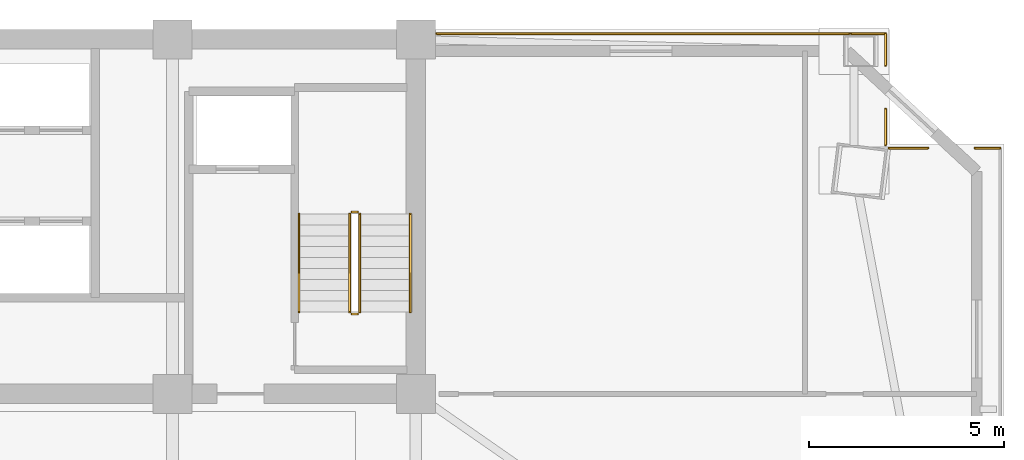
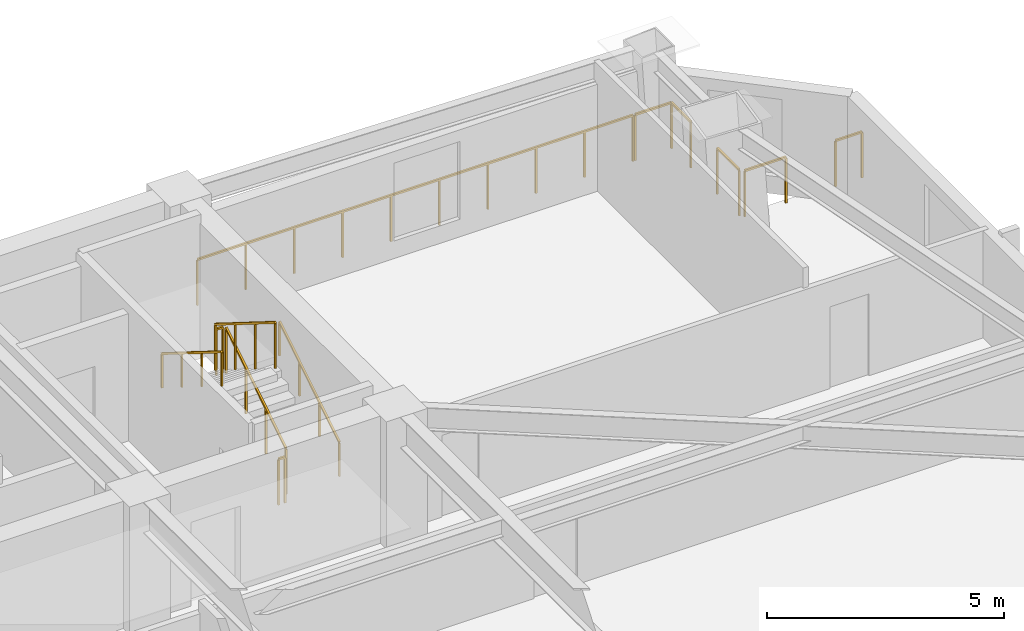
# One storey, part 15 of 15: 12 railings.
"""IFC4 building model written with IfcOpenShell, lengths in metres."""

import ifcopenshell
import ifcopenshell.guid

model = None  # the IFC model being written
_history = None  # IfcOwnerHistory: only IFC2X3 demands one
_inside = {}  # id of a spatial element -> (the spatial element, [elements in it])
_under = {}  # id of a project, library or spatial element -> (it, [spatial elements below it])
_declared = {}  # id of a project -> (the project, [libraries it declares])
_typed = {}  # id of a type object -> (the type object, [elements of that type])
_made_of = {}  # id of a material, layer set ... -> (it, [elements and type objects made of it])


def new_model(schema):
    """Start an empty IFC model of exactly this schema.

    Asked for "IFC4X3", IfcOpenShell would pick the latest addendum, in which some entities
    have other attributes; the version numbers below select the first issue.
    IFC2X3 requires an IfcOwnerHistory on every rooted entity: one is made here for all.
    """
    global model, _history
    if schema == "IFC4X3":
        model = ifcopenshell.file(schema_version=(4, 3, 0, 0))
    else:
        model = ifcopenshell.file(schema=schema)
    _inside.clear()
    _under.clear()
    _declared.clear()
    _typed.clear()
    _made_of.clear()
    _history = None
    if model.schema == "IFC2X3":
        org = make("IfcOrganization", Name="unknown")
        user = make(
            "IfcPersonAndOrganization",
            ThePerson=make("IfcPerson", FamilyName="unknown"),
            TheOrganization=org,
        )
        app = make(
            "IfcApplication",
            ApplicationDeveloper=org,
            Version="unknown",
            ApplicationFullName="unknown",
            ApplicationIdentifier="unknown",
        )
        _history = make(
            "IfcOwnerHistory",
            OwningUser=user,
            OwningApplication=app,
            ChangeAction="ADDED",
            CreationDate=0,
        )
    return model


def make(cls, **values):
    """One entity of the class cls with the attributes given. An attribute that is None is left unset."""
    return model.create_entity(
        cls, **{name: value for name, value in values.items() if value is not None}
    )


def rooted(cls, **values):
    """An entity with a GlobalId (a new one), such as an element, a storey or a relation."""
    return make(cls, GlobalId=ifcopenshell.guid.new(), OwnerHistory=_history, **values)


def si_unit(unit_type, name, prefix=None):
    """IfcSIUnit, for example si_unit("LENGTHUNIT", "METRE", prefix="MILLI")."""
    return make("IfcSIUnit", UnitType=unit_type, Prefix=prefix, Name=name)


def assignment(units):
    """IfcUnitAssignment: the units of a project."""
    return None if units is None else make("IfcUnitAssignment", Units=units)


def point(xyz):
    """IfcCartesianPoint."""
    return None if xyz is None else make("IfcCartesianPoint", Coordinates=xyz)


def direction(xyz):
    """IfcDirection."""
    return None if xyz is None else make("IfcDirection", DirectionRatios=xyz)


def frame(location, z_axis=None, x_axis=None):
    """IfcAxis2Placement3D, a coordinate frame: its origin and axes. An axis left out is left unset."""
    return make(
        "IfcAxis2Placement3D",
        Location=point(location),
        Axis=direction(z_axis),
        RefDirection=direction(x_axis),
    )


def frame_2d(location, x_axis=None):
    """IfcAxis2Placement2D, a coordinate frame in the plane: its origin and x axis."""
    return make(
        "IfcAxis2Placement2D", Location=point(location), RefDirection=direction(x_axis)
    )


def origin():
    """The frame at (0, 0, 0) with its axes left unset."""
    return frame((0.0, 0.0, 0.0))


def origin_2d():
    """The frame at (0, 0) in the plane with its x axis left unset."""
    return frame_2d((0.0, 0.0))


def place(relative_to, where):
    """IfcLocalPlacement: puts the frame where relative to a parent placement (None: the world)."""
    return make(
        "IfcLocalPlacement", PlacementRelTo=relative_to, RelativePlacement=where
    )


def context(
    kind, dimensions, precision=None, world=None, true_north=None, identifier=None
):
    """IfcGeometricRepresentationContext, for example the 3D "Model" context."""
    return make(
        "IfcGeometricRepresentationContext",
        ContextIdentifier=identifier,
        ContextType=kind,
        CoordinateSpaceDimension=dimensions,
        Precision=precision,
        WorldCoordinateSystem=world,
        TrueNorth=true_north,
    )


def subcontext(parent, identifier, kind, view, scale=None):
    """IfcGeometricRepresentationSubContext, for example "Body" below "Model"."""
    return make(
        "IfcGeometricRepresentationSubContext",
        ContextIdentifier=identifier,
        ContextType=kind,
        ParentContext=parent,
        TargetScale=scale,
        TargetView=view,
    )


def project(units=None, contexts=None):
    """IfcProject with its units and contexts."""
    return rooted(
        "IfcProject",
        Name="project",
        RepresentationContexts=contexts,
        UnitsInContext=assignment(units),
    )


def spatial(cls, under=None, at=None, **own):
    """A site, building, storey or space (cls), placed at a placement, below another one or the project."""
    s = rooted(cls, ObjectPlacement=at, **own)
    if under is not None:
        _under.setdefault(under.id(), (under, []))[1].append(s)
    return s


def profile(cls, at=None, kind="AREA", **sizes):
    """A parametric profile (cls). Its sizes go by their IFC names, for example OverallWidth=200.0."""
    return make(cls, ProfileType=kind, Position=at, **sizes)


def rectangle(**sizes):
    """IfcRectangleProfileDef."""
    return profile("IfcRectangleProfileDef", **sizes)


def extrude(swept, where, along, depth):
    """IfcExtrudedAreaSolid: the profile swept, set in the frame where, extruded along a direction by depth."""
    return make(
        "IfcExtrudedAreaSolid",
        SweptArea=swept,
        Position=where,
        ExtrudedDirection=direction(along),
        Depth=depth,
    )


def shape(context_of_items, identifier, shape_type, items):
    """IfcShapeRepresentation: the items that make up one representation, for example the "Body"."""
    return make(
        "IfcShapeRepresentation",
        ContextOfItems=context_of_items,
        RepresentationIdentifier=identifier,
        RepresentationType=shape_type,
        Items=items,
    )


def material(Name=None, Category=None):
    """IfcMaterial."""
    return make("IfcMaterial", Name=Name, Category=Category)


def made_of(thing, what):
    """Note that an element or type object is made of a material, layer set ...; save() writes the relation."""
    if what is not None:
        _made_of.setdefault(what.id(), (what, []))[1].append(thing)
    return thing


def type_object(cls, material=None, **own):
    """A type object (cls), such as IfcWallType, which elements share."""
    return made_of(rooted(cls, **own), material)


def element(
    cls,
    number,
    at=None,
    inside=None,
    cuts=None,
    type_object=None,
    material=None,
    context=None,
    identifier="Body",
    shape_type=None,
    held_by="IfcProductDefinitionShape",
    body=None,
    shapes=None,
    **own,
):
    """One element of the class cls, such as IfcWall. Its Tag is "e" and its number.

    at: its placement. inside: the storey or other place that contains it. cuts: it is an
    opening in that element (IfcRelVoidsElement). A single representation is given by context,
    identifier, shape_type and body (its items); several are given by shapes. held_by: the class
    of the entity that holds the representations. save() writes the other relations.
    """
    e = rooted(cls, Tag="e%d" % number, ObjectPlacement=at, **own)
    if body is not None:
        shapes = [shape(context, identifier, shape_type, body)]
    if shapes is not None:
        e.Representation = make(held_by, Representations=shapes)
    if inside is not None:
        _inside.setdefault(inside.id(), (inside, []))[1].append(e)
    if cuts is not None:
        rooted(
            "IfcRelVoidsElement", RelatingBuildingElement=cuts, RelatedOpeningElement=e
        )
    if type_object is not None:
        _typed.setdefault(type_object.id(), (type_object, []))[1].append(e)
    return made_of(e, material)


def aggregate(whole, parts):
    """IfcRelAggregates: a whole, such as a stair, and the parts it consists of."""
    return rooted("IfcRelAggregates", RelatingObject=whole, RelatedObjects=parts)


def save(model, path):
    """Write the relations noted so far, then the file.

    IfcRelAggregates (storeys below a building ...), IfcRelContainedInSpatialStructure (elements
    in a storey), IfcRelDefinesByType, IfcRelAssociatesMaterial and IfcRelDeclares: one each for
    every whole, place, type object, material and project.
    """
    for whole, parts in _under.values():
        aggregate(whole, parts)
    for where, things in _inside.values():
        rooted(
            "IfcRelContainedInSpatialStructure",
            RelatedElements=things,
            RelatingStructure=where,
        )
    for kind, things in _typed.values():
        rooted("IfcRelDefinesByType", RelatedObjects=things, RelatingType=kind)
    for what, things in _made_of.values():
        rooted("IfcRelAssociatesMaterial", RelatedObjects=things, RelatingMaterial=what)
    for by, libraries in _declared.values():
        rooted("IfcRelDeclares", RelatingContext=by, RelatedDefinitions=libraries)
    model.write(path)


model = new_model("IFC4")

# Units and contexts
model_context = context("Model", 3, precision=1e-05, world=origin(), true_north=direction((0.0, 1.0)))
body_context = subcontext(model_context, "Body", "Model", "MODEL_VIEW")
ifc_project = project(units=[si_unit("LENGTHUNIT", "METRE"), si_unit("AREAUNIT", "SQUARE_METRE"), si_unit("VOLUMEUNIT", "CUBIC_METRE"), si_unit("PLANEANGLEUNIT", "RADIAN"), si_unit("MASSUNIT", "GRAM", prefix="KILO")], contexts=[model_context])

# Site, building, storey
site_placement = place(None, origin())
site = spatial("IfcSite", under=ifc_project, at=site_placement, CompositionType="ELEMENT")
building_placement = place(site_placement, origin())
building = spatial("IfcBuilding", under=site, at=building_placement, Name="Giltprow Tower", CompositionType="ELEMENT")
storey_placement = place(building_placement, frame((0.0, 0.0, 156.199951171875)))
storey = spatial("IfcBuildingStorey", under=building, at=storey_placement, Name="L38", CompositionType="ELEMENT", Elevation=156.199951171875)

# Railings
ifc_material = material(Name="Anodized bronze", Category="metal")
railing_type_1 = type_object("IfcRailingType", Name="RAIL-BALC-GUARD-1200", PredefinedType="BALUSTRADE", material=ifc_material)
railing_1_placement = place(storey_placement, frame((51.0849609375, 46.699951171875, 0.0)))
element("IfcRailing", 1, at=railing_1_placement, inside=storey, type_object=railing_type_1, Name="L38 Corner Apron Edge Balustrade 12", PredefinedType="BALUSTRADE", context=body_context, shape_type="SweptSolid", body=[
    extrude(rectangle(XDim=0.048095703125, YDim=0.048095703125, at=origin_2d()), frame((0.0, 0.0, 1.17578125), z_axis=(1.0, 0.0, 0.0), x_axis=(0.0, 1.0, 0.0)), (0.0, 0.0, 1.0), 10.589111328125),
    extrude(rectangle(XDim=0.0419921875, YDim=0.0419921875, at=origin_2d()), origin(), (0.0, 0.0, 1.0), 1.15185546875),
    extrude(rectangle(XDim=0.0419921875, YDim=0.0419921875, at=origin_2d()), frame((1.176513671875, 0.0, 0.0)), (0.0, 0.0, 1.0), 1.15185546875),
    extrude(rectangle(XDim=0.0419921875, YDim=0.0419921875, at=origin_2d()), frame((2.35302734375, 0.0, 0.0)), (0.0, 0.0, 1.0), 1.15185546875),
    extrude(rectangle(XDim=0.0419921875, YDim=0.0419921875, at=origin_2d()), frame((3.52978515625, 0.0, 0.0)), (0.0, 0.0, 1.0), 1.15185546875),
    extrude(rectangle(XDim=0.0419921875, YDim=0.0419921875, at=origin_2d()), frame((4.706298828125, 0.0, 0.0)), (0.0, 0.0, 1.0), 1.15185546875),
    extrude(rectangle(XDim=0.0419921875, YDim=0.0419921875, at=origin_2d()), frame((5.8828125, 0.0, 0.0)), (0.0, 0.0, 1.0), 1.15185546875),
    extrude(rectangle(XDim=0.0419921875, YDim=0.0419921875, at=origin_2d()), frame((7.059326171875, 0.0, 0.0)), (0.0, 0.0, 1.0), 1.15185546875),
    extrude(rectangle(XDim=0.0419921875, YDim=0.0419921875, at=origin_2d()), frame((8.236083984375, 0.0, 0.0)), (0.0, 0.0, 1.0), 1.15185546875),
    extrude(rectangle(XDim=0.0419921875, YDim=0.0419921875, at=origin_2d()), frame((9.41259765625, 0.0, 0.0)), (0.0, 0.0, 1.0), 1.15185546875),
    extrude(rectangle(XDim=0.0419921875, YDim=0.0419921875, at=origin_2d()), frame((10.589111328125, 0.0, 0.0)), (0.0, 0.0, 1.0), 1.15185546875),
])
railing_2_placement = place(storey_placement, frame((61.72900390625, 46.699951171875, 0.0)))
element("IfcRailing", 2, at=railing_2_placement, inside=storey, type_object=railing_type_1, Name="L38 Corner Apron Edge Balustrade 13", PredefinedType="BALUSTRADE", context=body_context, shape_type="SweptSolid", body=[
    extrude(rectangle(XDim=0.048095703125, YDim=0.048095703125, at=origin_2d()), frame((0.0, 0.0, 1.17578125), z_axis=(1.0, 0.0, 0.0), x_axis=(0.0, 1.0, 0.0)), (0.0, 0.0, 1.0), 0.883056640625),
    extrude(rectangle(XDim=0.0419921875, YDim=0.0419921875, at=origin_2d()), origin(), (0.0, 0.0, 1.0), 1.15185546875),
    extrude(rectangle(XDim=0.0419921875, YDim=0.0419921875, at=origin_2d()), frame((0.883056640625, 0.0, 0.0)), (0.0, 0.0, 1.0), 1.15185546875),
])
railing_3_placement = place(storey_placement, frame((62.612060546875, 46.699951171875, 0.0)))
element("IfcRailing", 3, at=railing_3_placement, inside=storey, type_object=railing_type_1, Name="L38 Corner Apron Edge Balustrade 14", PredefinedType="BALUSTRADE", context=body_context, shape_type="SweptSolid", body=[
    extrude(rectangle(XDim=0.048095703125, YDim=0.048095703125, at=origin_2d()), frame((0.0, 0.0, 1.17578125), z_axis=(0.0, -1.0, 0.0), x_axis=(1.0, 0.0, 0.0)), (0.0, 0.0, 1.0), 0.81689453125),
    extrude(rectangle(XDim=0.0419921875, YDim=0.0419921875, at=origin_2d()), origin(), (0.0, 0.0, 1.0), 1.15185546875),
    extrude(rectangle(XDim=0.0419921875, YDim=0.0419921875, at=origin_2d()), frame((0.0, -0.81689453125, 0.0)), (0.0, 0.0, 1.0), 1.15185546875),
])
railing_4_placement = place(storey_placement, frame((62.612060546875, 44.76611328125, 0.0)))
element("IfcRailing", 4, at=railing_4_placement, inside=storey, type_object=railing_type_1, Name="L38 Corner Apron Edge Balustrade 15", PredefinedType="BALUSTRADE", context=body_context, shape_type="SweptSolid", body=[
    extrude(rectangle(XDim=0.048095703125, YDim=0.048095703125, at=origin_2d()), frame((0.0, 0.0, 1.17578125), z_axis=(0.0, -1.0, 0.0), x_axis=(1.0, 0.0, 0.0)), (0.0, 0.0, 1.0), 0.920166015625),
    extrude(rectangle(XDim=0.0419921875, YDim=0.0419921875, at=origin_2d()), origin(), (0.0, 0.0, 1.0), 1.15185546875),
    extrude(rectangle(XDim=0.0419921875, YDim=0.0419921875, at=origin_2d()), frame((0.0, -0.920166015625, 0.0)), (0.0, 0.0, 1.0), 1.15185546875),
])
railing_5_placement = place(storey_placement, frame((62.697021484375, 43.760986328125, 0.0)))
element("IfcRailing", 5, at=railing_5_placement, inside=storey, type_object=railing_type_1, Name="L38 Corner Apron Edge Balustrade 16", PredefinedType="BALUSTRADE", context=body_context, shape_type="SweptSolid", body=[
    extrude(rectangle(XDim=0.048095703125, YDim=0.048095703125, at=origin_2d()), frame((0.0, 0.0, 1.17578125), z_axis=(1.0, 0.0, 0.0), x_axis=(0.0, 1.0, 0.0)), (0.0, 0.0, 1.0), 1.001953125),
    extrude(rectangle(XDim=0.0419921875, YDim=0.0419921875, at=origin_2d()), origin(), (0.0, 0.0, 1.0), 1.15185546875),
    extrude(rectangle(XDim=0.0419921875, YDim=0.0419921875, at=origin_2d()), frame((1.001953125, 0.0, 0.0)), (0.0, 0.0, 1.0), 1.15185546875),
])
railing_6_placement = place(storey_placement, frame((64.906005859375, 43.760986328125, 0.0)))
element("IfcRailing", 6, at=railing_6_placement, inside=storey, type_object=railing_type_1, Name="L38 Corner Apron Edge Balustrade 17", PredefinedType="BALUSTRADE", context=body_context, shape_type="SweptSolid", body=[
    extrude(rectangle(XDim=0.048095703125, YDim=0.048095703125, at=origin_2d()), frame((0.0, 0.0, 1.17578125), z_axis=(1.0, 0.0, 0.0), x_axis=(0.0, 1.0, 0.0)), (0.0, 0.0, 1.0), 0.64501953125),
    extrude(rectangle(XDim=0.0419921875, YDim=0.0419921875, at=origin_2d()), origin(), (0.0, 0.0, 1.0), 1.15185546875),
    extrude(rectangle(XDim=0.0419921875, YDim=0.0419921875, at=origin_2d()), frame((0.64501953125, 0.0, 0.0)), (0.0, 0.0, 1.0), 1.15185546875),
])
railing_type_2 = type_object("IfcRailingType", Name="RAIL-STAIR-GUARD-1200", PredefinedType="GUARDRAIL", material=ifc_material)
railing_7_placement = place(storey_placement, frame((49.110107421875, 39.550048828125, 0.175048828125)))
element("IfcRailing", 7, at=railing_7_placement, inside=storey, type_object=railing_type_2, Name="L38 ST-3 stair guard 1", PredefinedType="GUARDRAIL", context=body_context, shape_type="SweptSolid", body=[
    extrude(rectangle(XDim=0.048095703125, YDim=0.048095703125, at=origin_2d()), frame((0.0, 0.0, 1.17578125), z_axis=(0.0, 0.848007534815, 0.529984170421), x_axis=(-1.0, 0.0, 0.0)), (0.0, 0.0, 1.0), 2.9716796875),
    extrude(rectangle(XDim=0.0419921875, YDim=0.0419921875, at=origin_2d()), origin(), (0.0, 0.0, 1.0), 1.15185546875),
    extrude(rectangle(XDim=0.0419921875, YDim=0.0419921875, at=origin_2d()), frame((0.0, 0.840087890625, 0.52490234375)), (0.0, 0.0, 1.0), 1.15185546875),
    extrude(rectangle(XDim=0.0419921875, YDim=0.0419921875, at=origin_2d()), frame((0.0, 1.679931640625, 1.050048828125)), (0.0, 0.0, 1.0), 1.15185546875),
    extrude(rectangle(XDim=0.0419921875, YDim=0.0419921875, at=origin_2d()), frame((0.0, 2.52001953125, 1.574951171875)), (0.0, 0.0, 1.0), 1.15185546875),
])
railing_8_placement = place(storey_placement, frame((49.06005859375, 42.1201171875, 1.75)))
element("IfcRailing", 8, at=railing_8_placement, inside=storey, type_object=railing_type_2, Name="L38 ST-3 stair guard 2", PredefinedType="GUARDRAIL", context=body_context, shape_type="SweptSolid", body=[
    extrude(rectangle(XDim=0.048095703125, YDim=0.048095703125, at=origin_2d()), frame((0.0, 0.0, 1.17578125), z_axis=(-1.0, 0.0, 0.0), x_axis=(0.0, -1.0, 0.0)), (0.0, 0.0, 1.0), 0.16015625),
    extrude(rectangle(XDim=0.0419921875, YDim=0.0419921875, at=origin_2d()), origin(), (0.0, 0.0, 1.0), 1.15185546875),
    extrude(rectangle(XDim=0.0419921875, YDim=0.0419921875, at=origin_2d()), frame((-0.16015625, 0.0, 0.0)), (0.0, 0.0, 1.0), 1.15185546875),
])
railing_9_placement = place(storey_placement, frame((48.85009765625, 42.070068359375, 1.925048828125)))
element("IfcRailing", 9, at=railing_9_placement, inside=storey, type_object=railing_type_2, Name="L38 ST-3 stair guard 3", PredefinedType="GUARDRAIL", context=body_context, shape_type="SweptSolid", body=[
    extrude(rectangle(XDim=0.048095703125, YDim=0.048095703125, at=origin_2d()), frame((0.0, 0.0, 1.17578125), z_axis=(0.0, -0.848007534815, 0.529984170421), x_axis=(1.0, 0.0, 0.0)), (0.0, 0.0, 1.0), 2.9716796875),
    extrude(rectangle(XDim=0.0419921875, YDim=0.0419921875, at=origin_2d()), origin(), (0.0, 0.0, 1.0), 1.15185546875),
    extrude(rectangle(XDim=0.0419921875, YDim=0.0419921875, at=origin_2d()), frame((0.0, -0.840087890625, 0.52490234375)), (0.0, 0.0, 1.0), 1.15185546875),
    extrude(rectangle(XDim=0.0419921875, YDim=0.0419921875, at=origin_2d()), frame((0.0, -1.679931640625, 1.050048828125)), (0.0, 0.0, 1.0), 1.15185546875),
    extrude(rectangle(XDim=0.0419921875, YDim=0.0419921875, at=origin_2d()), frame((0.0, -2.52001953125, 1.574951171875)), (0.0, 0.0, 1.0), 1.15185546875),
])
railing_10_placement = place(storey_placement, frame((49.06005859375, 39.5, 0.0)))
element("IfcRailing", 10, at=railing_10_placement, inside=storey, type_object=railing_type_2, Name="L38 ST-3 stair guard 4", PredefinedType="GUARDRAIL", context=body_context, shape_type="SweptSolid", body=[
    extrude(rectangle(XDim=0.048095703125, YDim=0.048095703125, at=origin_2d()), frame((0.0, 0.0, 1.17578125), z_axis=(-1.0, 0.0, 0.0), x_axis=(0.0, -1.0, 0.0)), (0.0, 0.0, 1.0), 0.16015625),
    extrude(rectangle(XDim=0.0419921875, YDim=0.0419921875, at=origin_2d()), origin(), (0.0, 0.0, 1.0), 1.15185546875),
    extrude(rectangle(XDim=0.0419921875, YDim=0.0419921875, at=origin_2d()), frame((-0.16015625, 0.0, 0.0)), (0.0, 0.0, 1.0), 1.15185546875),
])
railing_type_3 = type_object("IfcRailingType", Name="RAIL-STAIR-HAND-900", PredefinedType="HANDRAIL", material=ifc_material)
railing_11_placement = place(storey_placement, frame((50.409912109375, 39.550048828125, 0.175048828125)))
element("IfcRailing", 11, at=railing_11_placement, inside=storey, type_object=railing_type_3, Name="L38 ST-3 stair handrail 1", PredefinedType="HANDRAIL", context=body_context, shape_type="SweptSolid", body=[
    extrude(rectangle(XDim=0.048095703125, YDim=0.048095703125, at=origin_2d()), frame((0.0, 0.0, 0.8759765625), z_axis=(0.0, 0.848007534815, 0.529984170421), x_axis=(-1.0, 0.0, 0.0)), (0.0, 0.0, 1.0), 2.9716796875),
    extrude(rectangle(XDim=0.0419921875, YDim=0.0419921875, at=origin_2d()), origin(), (0.0, 0.0, 1.0), 0.851806640625),
    extrude(rectangle(XDim=0.0419921875, YDim=0.0419921875, at=origin_2d()), frame((0.0, 0.840087890625, 0.52490234375)), (0.0, 0.0, 1.0), 0.851806640625),
    extrude(rectangle(XDim=0.0419921875, YDim=0.0419921875, at=origin_2d()), frame((0.0, 1.679931640625, 1.050048828125)), (0.0, 0.0, 1.0), 0.851806640625),
    extrude(rectangle(XDim=0.0419921875, YDim=0.0419921875, at=origin_2d()), frame((0.0, 2.52001953125, 1.574951171875)), (0.0, 0.0, 1.0), 0.851806640625),
])
railing_12_placement = place(storey_placement, frame((47.550048828125, 42.070068359375, 1.925048828125)))
element("IfcRailing", 12, at=railing_12_placement, inside=storey, type_object=railing_type_3, Name="L38 ST-3 stair handrail 2", PredefinedType="HANDRAIL", context=body_context, shape_type="SweptSolid", body=[
    extrude(rectangle(XDim=0.048095703125, YDim=0.048095703125, at=origin_2d()), frame((0.0, 0.0, 0.8759765625), z_axis=(0.0, -0.848007534815, 0.529984170421), x_axis=(1.0, 0.0, 0.0)), (0.0, 0.0, 1.0), 2.9716796875),
    extrude(rectangle(XDim=0.0419921875, YDim=0.0419921875, at=origin_2d()), origin(), (0.0, 0.0, 1.0), 0.851806640625),
    extrude(rectangle(XDim=0.0419921875, YDim=0.0419921875, at=origin_2d()), frame((0.0, -0.840087890625, 0.52490234375)), (0.0, 0.0, 1.0), 0.851806640625),
    extrude(rectangle(XDim=0.0419921875, YDim=0.0419921875, at=origin_2d()), frame((0.0, -1.679931640625, 1.050048828125)), (0.0, 0.0, 1.0), 0.851806640625),
    extrude(rectangle(XDim=0.0419921875, YDim=0.0419921875, at=origin_2d()), frame((0.0, -2.52001953125, 1.574951171875)), (0.0, 0.0, 1.0), 0.851806640625),
])

save(model, "model.ifc")
